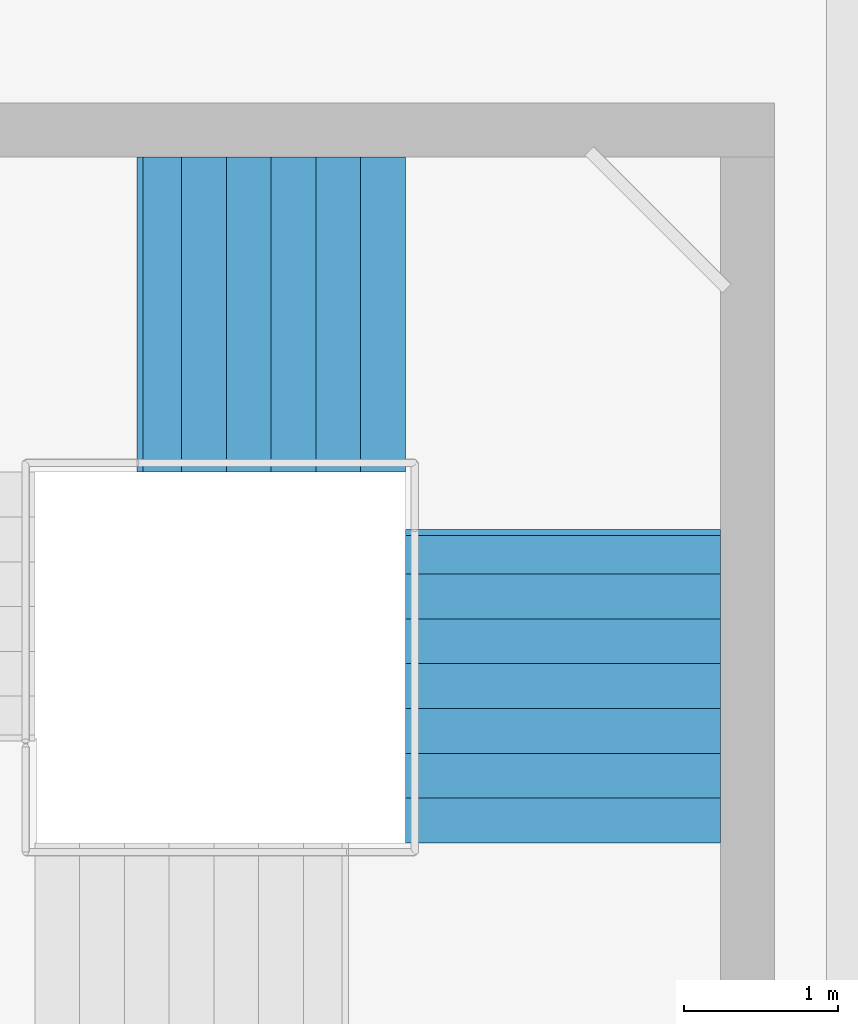
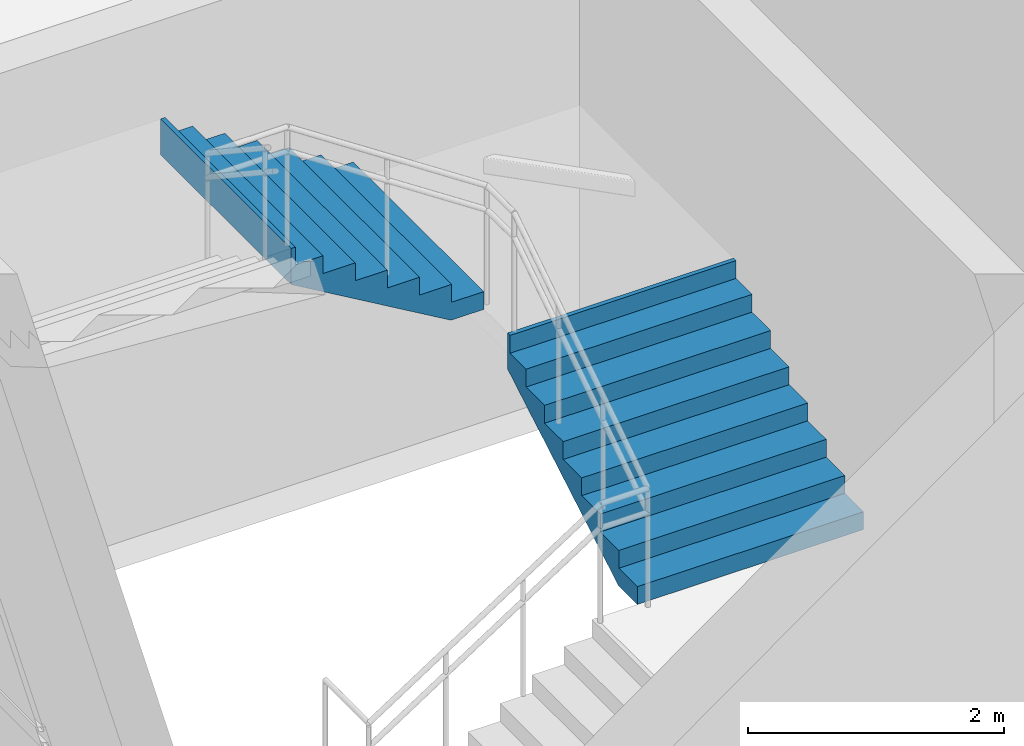
# One storey, part 54 of 58: 2 stair flights, 1 element without a shape of its own.
"""IFC4 building model written with IfcOpenShell, lengths in metres."""

from ifc_helpers import new_model, si_unit, direction, frame, origin, place, context, subcontext, project, spatial, triangles, material, type_object, element, aggregate, save


model = new_model("IFC4")

# Units and contexts
model_context = context("Model", 3, precision=1e-05, world=origin(), true_north=direction((0.0, 1.0)))
body_context = subcontext(model_context, "Body", "Model", "MODEL_VIEW")
ifc_project = project(units=[si_unit("LENGTHUNIT", "METRE"), si_unit("AREAUNIT", "SQUARE_METRE"), si_unit("VOLUMEUNIT", "CUBIC_METRE"), si_unit("PLANEANGLEUNIT", "RADIAN"), si_unit("MASSUNIT", "GRAM", prefix="KILO")], contexts=[model_context])

# Site, building, storey
site_placement = place(None, origin())
site = spatial("IfcSite", under=ifc_project, at=site_placement, CompositionType="ELEMENT")
building_placement = place(site_placement, origin())
building = spatial("IfcBuilding", under=site, at=building_placement, Name="Sillaruma Civic Art Gallery", CompositionType="ELEMENT")
storey_placement = place(building_placement, frame((0.0, 0.0, 52.02001953125)))
storey = spatial("IfcBuildingStorey", under=building, at=storey_placement, Name="L10", CompositionType="ELEMENT", Elevation=52.02001953125)

# Stair, stair flights
ifc_material = material(Name="Concrete H35 (35 MPa)", Category="concrete")
stair_type = type_object("IfcStairType", Name="STR-4F-30", PredefinedType="USERDEFINED", material=ifc_material)
stair_placement = place(storey_placement, origin())
stair = element("IfcStair", 1, at=stair_placement, inside=storey, type_object=stair_type, Name="Protected Exit Stair ST-04 (East Bar) (L10)", ObjectType="THREE_RETURN_STAIR", PredefinedType="USERDEFINED")
stair_flight_type_1 = type_object("IfcStairFlightType", Name="SFL-STR-7", PredefinedType="STRAIGHT", material=ifc_material)
stair_flight_1_placement = place(storey_placement, frame((103.300048828125, 56.669921875, 2.719970703125), z_axis=(0.0, 0.0, 1.0), x_axis=(-1.0, 0.0, 0.0)))
stair_flight_1 = element("IfcStairFlight", 2, at=stair_flight_1_placement, type_object=stair_flight_type_1, Name="ST-04 flight 3", NumberOfRisers=7, NumberOfTreads=6, PredefinedType="STRAIGHT", RiserHeight=0.17, TreadLength=0.29, context=body_context, shape_type="Tessellation", body=[
    triangles([(0.0, -1.02001953125, 0.0), (0.29, -1.02001953125, 0.0), (0.296404, -1.02001953125, 0.0), (0.58, -1.02001953125, 0.166246), (0.87, -1.02001953125, 0.336246), (1.16, -1.02001953125, 0.506246), (1.45, -1.02001953125, 0.676246), (1.69999, -1.02001953125, 0.822792), (1.73999, -1.02001953125, 0.84624), (1.73999, -1.02001953125, 1.19), (1.69999, -1.02001953125, 1.19), (1.69999, -1.02001953125, 1.02), (1.45, -1.02001953125, 1.02), (1.45, -1.02001953125, 0.85), (1.16, -1.02001953125, 0.85), (1.16, -1.02001953125, 0.68), (0.87, -1.02001953125, 0.68), (0.87, -1.02001953125, 0.51), (0.58, -1.02001953125, 0.51), (0.58, -1.02001953125, 0.34), (0.296404, -1.02001953125, 0.34), (0.29, -1.02001953125, 0.34), (0.29, -1.02001953125, 0.17), (0.0, -1.02001953125, 0.17), (0.0, -0.05, 0.0), (0.29, -0.05, 0.0), (0.296404, -0.05, 0.0), (0.58, -0.05, 0.166246), (0.87, -0.05, 0.336246), (1.16, -0.05, 0.506246), (1.45, -0.05, 0.676246), (1.69999, -0.05, 0.822792), (1.73999, -0.05, 0.84624), (1.73999, -0.05, 1.19), (1.69999, -0.05, 1.19), (1.69999, -0.05, 1.02), (1.45, -0.05, 1.02), (1.45, -0.05, 0.85), (1.16, -0.05, 0.85), (1.16, -0.05, 0.68), (0.87, -0.05, 0.68), (0.87, -0.05, 0.51), (0.58, -0.05, 0.51), (0.58, -0.05, 0.34), (0.296404, -0.05, 0.34), (0.29, -0.05, 0.34), (0.29, -0.05, 0.17), (0.0, -0.05, 0.17), (0.0, -0.0375, 0.0), (0.29, -0.0375, 0.0), (0.296404, -0.0375, 0.0), (0.58, -0.0375, 0.166246), (0.87, -0.0375, 0.336246), (1.16, -0.0375, 0.506246), (1.45, -0.0375, 0.676246), (1.69999, -0.0375, 0.822792), (1.73999, -0.0375, 0.84624), (1.73999, -0.0375, 1.19), (1.69999, -0.0375, 1.19), (1.69999, -0.0375, 1.02), (1.45, -0.0375, 1.02), (1.45, -0.0375, 0.85), (1.16, -0.0375, 0.85), (1.16, -0.0375, 0.68), (0.87, -0.0375, 0.68), (0.87, -0.0375, 0.51), (0.58, -0.0375, 0.51), (0.58, -0.0375, 0.34), (0.296404, -0.0375, 0.34), (0.29, -0.0375, 0.34), (0.29, -0.0375, 0.17), (0.0, -0.0375, 0.17), (0.0, -0.025, 0.0), (0.29, -0.025, 0.0), (0.296404, -0.025, 0.0), (0.58, -0.025, 0.166246), (0.87, -0.025, 0.336246), (1.16, -0.025, 0.506246), (1.45, -0.025, 0.676246), (1.69999, -0.025, 0.822792), (1.73999, -0.025, 0.84624), (1.73999, -0.025, 1.19), (1.69999, -0.025, 1.19), (1.69999, -0.025, 1.02), (1.45, -0.025, 1.02), (1.45, -0.025, 0.85), (1.16, -0.025, 0.85), (1.16, -0.025, 0.68), (0.87, -0.025, 0.68), (0.87, -0.025, 0.51), (0.58, -0.025, 0.51), (0.58, -0.025, 0.34), (0.296404, -0.025, 0.34), (0.29, -0.025, 0.34), (0.29, -0.025, 0.17), (0.0, -0.025, 0.17), (0.0, -0.0125, 0.0), (0.29, -0.0125, 0.0), (0.296404, -0.0125, 0.0), (0.58, -0.0125, 0.166246), (0.87, -0.0125, 0.336246), (1.16, -0.0125, 0.506246), (1.45, -0.0125, 0.676246), (1.69999, -0.0125, 0.822792), (1.73999, -0.0125, 0.84624), (1.73999, -0.0125, 1.19), (1.69999, -0.0125, 1.19), (1.69999, -0.0125, 1.02), (1.45, -0.0125, 1.02), (1.45, -0.0125, 0.85), (1.16, -0.0125, 0.85), (1.16, -0.0125, 0.68), (0.87, -0.0125, 0.68), (0.87, -0.0125, 0.51), (0.58, -0.0125, 0.51), (0.58, -0.0125, 0.34), (0.296404, -0.0125, 0.34), (0.29, -0.0125, 0.34), (0.29, -0.0125, 0.17), (0.0, -0.0125, 0.17), (0.0, 0.0, 0.0), (0.29, 0.0, 0.0), (0.296404, 0.0, 0.0), (0.58, 0.0, 0.166246), (0.87, 0.0, 0.336246), (1.16, 0.0, 0.506246), (1.45, 0.0, 0.676246), (1.69999, 0.0, 0.822792), (1.73999, 0.0, 0.84624), (1.73999, 0.0, 1.19), (1.69999, 0.0, 1.19), (1.69999, 0.0, 1.02), (1.45, 0.0, 1.02), (1.45, 0.0, 0.85), (1.16, 0.0, 0.85), (1.16, 0.0, 0.68), (0.87, 0.0, 0.68), (0.87, 0.0, 0.51), (0.58, 0.0, 0.51), (0.58, 0.0, 0.34), (0.296404, 0.0, 0.34), (0.29, 0.0, 0.34), (0.29, 0.0, 0.17), (0.0, 0.0, 0.17), (0.0, 0.0125, 0.0), (0.29, 0.0125, 0.0), (0.296404, 0.0125, 0.0), (0.58, 0.0125, 0.166246), (0.87, 0.0125, 0.336246), (1.16, 0.0125, 0.506246), (1.45, 0.0125, 0.676246), (1.69999, 0.0125, 0.822792), (1.73999, 0.0125, 0.84624), (1.73999, 0.0125, 1.19), (1.69999, 0.0125, 1.19), (1.69999, 0.0125, 1.02), (1.45, 0.0125, 1.02), (1.45, 0.0125, 0.85), (1.16, 0.0125, 0.85), (1.16, 0.0125, 0.68), (0.87, 0.0125, 0.68), (0.87, 0.0125, 0.51), (0.58, 0.0125, 0.51), (0.58, 0.0125, 0.34), (0.296404, 0.0125, 0.34), (0.29, 0.0125, 0.34), (0.29, 0.0125, 0.17), (0.0, 0.0125, 0.17), (0.0, 0.025, 0.0), (0.29, 0.025, 0.0), (0.296404, 0.025, 0.0), (0.58, 0.025, 0.166246), (0.87, 0.025, 0.336246), (1.16, 0.025, 0.506246), (1.45, 0.025, 0.676246), (1.69999, 0.025, 0.822792), (1.73999, 0.025, 0.84624), (1.73999, 0.025, 1.19), (1.69999, 0.025, 1.19), (1.69999, 0.025, 1.02), (1.45, 0.025, 1.02), (1.45, 0.025, 0.85), (1.16, 0.025, 0.85), (1.16, 0.025, 0.68), (0.87, 0.025, 0.68), (0.87, 0.025, 0.51), (0.58, 0.025, 0.51), (0.58, 0.025, 0.34), (0.296404, 0.025, 0.34), (0.29, 0.025, 0.34), (0.29, 0.025, 0.17), (0.0, 0.025, 0.17), (0.0, 0.0375, 0.0), (0.29, 0.0375, 0.0), (0.296404, 0.0375, 0.0), (0.58, 0.0375, 0.166246), (0.87, 0.0375, 0.336246), (1.16, 0.0375, 0.506246), (1.45, 0.0375, 0.676246), (1.69999, 0.0375, 0.822792), (1.73999, 0.0375, 0.84624), (1.73999, 0.0375, 1.19), (1.69999, 0.0375, 1.19), (1.69999, 0.0375, 1.02), (1.45, 0.0375, 1.02), (1.45, 0.0375, 0.85), (1.16, 0.0375, 0.85), (1.16, 0.0375, 0.68), (0.87, 0.0375, 0.68), (0.87, 0.0375, 0.51), (0.58, 0.0375, 0.51), (0.58, 0.0375, 0.34), (0.296404, 0.0375, 0.34), (0.29, 0.0375, 0.34), (0.29, 0.0375, 0.17), (0.0, 0.0375, 0.17), (0.0, 0.05, 0.0), (0.29, 0.05, 0.0), (0.296404, 0.05, 0.0), (0.58, 0.05, 0.166246), (0.87, 0.05, 0.336246), (1.16, 0.05, 0.506246), (1.45, 0.05, 0.676246), (1.69999, 0.05, 0.822792), (1.73999, 0.05, 0.84624), (1.73999, 0.05, 1.19), (1.69999, 0.05, 1.19), (1.69999, 0.05, 1.02), (1.45, 0.05, 1.02), (1.45, 0.05, 0.85), (1.16, 0.05, 0.85), (1.16, 0.05, 0.68), (0.87, 0.05, 0.68), (0.87, 0.05, 0.51), (0.58, 0.05, 0.51), (0.58, 0.05, 0.34), (0.296404, 0.05, 0.34), (0.29, 0.05, 0.34), (0.29, 0.05, 0.17), (0.0, 0.05, 0.17), (0.0, 1.02001953125, 0.0), (0.29, 1.02001953125, 0.0), (0.296404, 1.02001953125, 0.0), (0.58, 1.02001953125, 0.166246), (0.87, 1.02001953125, 0.336246), (1.16, 1.02001953125, 0.506246), (1.45, 1.02001953125, 0.676246), (1.69999, 1.02001953125, 0.822792), (1.73999, 1.02001953125, 0.84624), (1.73999, 1.02001953125, 1.19), (1.69999, 1.02001953125, 1.19), (1.69999, 1.02001953125, 1.02), (1.45, 1.02001953125, 1.02), (1.45, 1.02001953125, 0.85), (1.16, 1.02001953125, 0.85), (1.16, 1.02001953125, 0.68), (0.87, 1.02001953125, 0.68), (0.87, 1.02001953125, 0.51), (0.58, 1.02001953125, 0.51), (0.58, 1.02001953125, 0.34), (0.296404, 1.02001953125, 0.34), (0.29, 1.02001953125, 0.34), (0.29, 1.02001953125, 0.17), (0.0, 1.02001953125, 0.17)], [[1, 2, 23], [1, 23, 24], [2, 3, 21], [2, 21, 23], [23, 21, 22], [3, 4, 20], [3, 20, 21], [4, 5, 18], [4, 18, 20], [20, 18, 19], [5, 6, 16], [5, 16, 18], [18, 16, 17], [6, 7, 14], [6, 14, 16], [16, 14, 15], [7, 8, 12], [7, 12, 14], [14, 12, 13], [8, 9, 10], [8, 10, 12], [12, 10, 11], [263, 242, 241], [264, 263, 241], [261, 243, 242], [263, 261, 242], [262, 261, 263], [260, 244, 243], [261, 260, 243], [258, 245, 244], [260, 258, 244], [259, 258, 260], [256, 246, 245], [258, 256, 245], [257, 256, 258], [254, 247, 246], [256, 254, 246], [255, 254, 256], [252, 248, 247], [254, 252, 247], [253, 252, 254], [250, 249, 248], [252, 250, 248], [251, 250, 252], [2, 1, 25], [2, 25, 26], [3, 2, 26], [3, 26, 27], [4, 3, 27], [4, 27, 28], [5, 4, 28], [5, 28, 29], [6, 5, 29], [6, 29, 30], [7, 6, 30], [7, 30, 31], [8, 7, 31], [8, 31, 32], [9, 8, 32], [9, 32, 33], [10, 9, 33], [10, 33, 34], [11, 10, 34], [11, 34, 35], [12, 11, 35], [12, 35, 36], [13, 12, 36], [13, 36, 37], [14, 13, 37], [14, 37, 38], [15, 14, 38], [15, 38, 39], [16, 15, 39], [16, 39, 40], [17, 16, 40], [17, 40, 41], [18, 17, 41], [18, 41, 42], [19, 18, 42], [19, 42, 43], [20, 19, 43], [20, 43, 44], [21, 20, 44], [21, 44, 45], [22, 21, 45], [22, 45, 46], [23, 22, 46], [23, 46, 47], [24, 23, 47], [24, 47, 48], [1, 24, 48], [1, 48, 25], [26, 25, 49], [26, 49, 50], [27, 26, 50], [27, 50, 51], [28, 27, 51], [28, 51, 52], [29, 28, 52], [29, 52, 53], [30, 29, 53], [30, 53, 54], [31, 30, 54], [31, 54, 55], [32, 31, 55], [32, 55, 56], [33, 32, 56], [33, 56, 57], [34, 33, 57], [34, 57, 58], [35, 34, 58], [35, 58, 59], [36, 35, 59], [36, 59, 60], [37, 36, 60], [37, 60, 61], [38, 37, 61], [38, 61, 62], [39, 38, 62], [39, 62, 63], [40, 39, 63], [40, 63, 64], [41, 40, 64], [41, 64, 65], [42, 41, 65], [42, 65, 66], [43, 42, 66], [43, 66, 67], [44, 43, 67], [44, 67, 68], [45, 44, 68], [45, 68, 69], [46, 45, 69], [46, 69, 70], [47, 46, 70], [47, 70, 71], [48, 47, 71], [48, 71, 72], [25, 48, 72], [25, 72, 49], [50, 49, 73], [50, 73, 74], [51, 50, 74], [51, 74, 75], [52, 51, 75], [52, 75, 76], [53, 52, 76], [53, 76, 77], [54, 53, 77], [54, 77, 78], [55, 54, 78], [55, 78, 79], [56, 55, 79], [56, 79, 80], [57, 56, 80], [57, 80, 81], [58, 57, 81], [58, 81, 82], [59, 58, 82], [59, 82, 83], [60, 59, 83], [60, 83, 84], [61, 60, 84], [61, 84, 85], [62, 61, 85], [62, 85, 86], [63, 62, 86], [63, 86, 87], [64, 63, 87], [64, 87, 88], [65, 64, 88], [65, 88, 89], [66, 65, 89], [66, 89, 90], [67, 66, 90], [67, 90, 91], [68, 67, 91], [68, 91, 92], [69, 68, 92], [69, 92, 93], [70, 69, 93], [70, 93, 94], [71, 70, 94], [71, 94, 95], [72, 71, 95], [72, 95, 96], [49, 72, 96], [49, 96, 73], [74, 73, 97], [74, 97, 98], [75, 74, 98], [75, 98, 99], [76, 75, 99], [76, 99, 100], [77, 76, 100], [77, 100, 101], [78, 77, 101], [78, 101, 102], [79, 78, 102], [79, 102, 103], [80, 79, 103], [80, 103, 104], [81, 80, 104], [81, 104, 105], [82, 81, 105], [82, 105, 106], [83, 82, 106], [83, 106, 107], [84, 83, 107], [84, 107, 108], [85, 84, 108], [85, 108, 109], [86, 85, 109], [86, 109, 110], [87, 86, 110], [87, 110, 111], [88, 87, 111], [88, 111, 112], [89, 88, 112], [89, 112, 113], [90, 89, 113], [90, 113, 114], [91, 90, 114], [91, 114, 115], [92, 91, 115], [92, 115, 116], [93, 92, 116], [93, 116, 117], [94, 93, 117], [94, 117, 118], [95, 94, 118], [95, 118, 119], [96, 95, 119], [96, 119, 120], [73, 96, 120], [73, 120, 97], [98, 97, 121], [98, 121, 122], [99, 98, 122], [99, 122, 123], [100, 99, 123], [100, 123, 124], [101, 100, 124], [101, 124, 125], [102, 101, 125], [102, 125, 126], [103, 102, 126], [103, 126, 127], [104, 103, 127], [104, 127, 128], [105, 104, 128], [105, 128, 129], [106, 105, 129], [106, 129, 130], [107, 106, 130], [107, 130, 131], [108, 107, 131], [108, 131, 132], [109, 108, 132], [109, 132, 133], [110, 109, 133], [110, 133, 134], [111, 110, 134], [111, 134, 135], [112, 111, 135], [112, 135, 136], [113, 112, 136], [113, 136, 137], [114, 113, 137], [114, 137, 138], [115, 114, 138], [115, 138, 139], [116, 115, 139], [116, 139, 140], [117, 116, 140], [117, 140, 141], [118, 117, 141], [118, 141, 142], [119, 118, 142], [119, 142, 143], [120, 119, 143], [120, 143, 144], [97, 120, 144], [97, 144, 121], [122, 121, 145], [122, 145, 146], [123, 122, 146], [123, 146, 147], [124, 123, 147], [124, 147, 148], [125, 124, 148], [125, 148, 149], [126, 125, 149], [126, 149, 150], [127, 126, 150], [127, 150, 151], [128, 127, 151], [128, 151, 152], [129, 128, 152], [129, 152, 153], [130, 129, 153], [130, 153, 154], [131, 130, 154], [131, 154, 155], [132, 131, 155], [132, 155, 156], [133, 132, 156], [133, 156, 157], [134, 133, 157], [134, 157, 158], [135, 134, 158], [135, 158, 159], [136, 135, 159], [136, 159, 160], [137, 136, 160], [137, 160, 161], [138, 137, 161], [138, 161, 162], [139, 138, 162], [139, 162, 163], [140, 139, 163], [140, 163, 164], [141, 140, 164], [141, 164, 165], [142, 141, 165], [142, 165, 166], [143, 142, 166], [143, 166, 167], [144, 143, 167], [144, 167, 168], [121, 144, 168], [121, 168, 145], [146, 145, 169], [146, 169, 170], [147, 146, 170], [147, 170, 171], [148, 147, 171], [148, 171, 172], [149, 148, 172], [149, 172, 173], [150, 149, 173], [150, 173, 174], [151, 150, 174], [151, 174, 175], [152, 151, 175], [152, 175, 176], [153, 152, 176], [153, 176, 177], [154, 153, 177], [154, 177, 178], [155, 154, 178], [155, 178, 179], [156, 155, 179], [156, 179, 180], [157, 156, 180], [157, 180, 181], [158, 157, 181], [158, 181, 182], [159, 158, 182], [159, 182, 183], [160, 159, 183], [160, 183, 184], [161, 160, 184], [161, 184, 185], [162, 161, 185], [162, 185, 186], [163, 162, 186], [163, 186, 187], [164, 163, 187], [164, 187, 188], [165, 164, 188], [165, 188, 189], [166, 165, 189], [166, 189, 190], [167, 166, 190], [167, 190, 191], [168, 167, 191], [168, 191, 192], [145, 168, 192], [145, 192, 169], [170, 169, 193], [170, 193, 194], [171, 170, 194], [171, 194, 195], [172, 171, 195], [172, 195, 196], [173, 172, 196], [173, 196, 197], [174, 173, 197], [174, 197, 198], [175, 174, 198], [175, 198, 199], [176, 175, 199], [176, 199, 200], [177, 176, 200], [177, 200, 201], [178, 177, 201], [178, 201, 202], [179, 178, 202], [179, 202, 203], [180, 179, 203], [180, 203, 204], [181, 180, 204], [181, 204, 205], [182, 181, 205], [182, 205, 206], [183, 182, 206], [183, 206, 207], [184, 183, 207], [184, 207, 208], [185, 184, 208], [185, 208, 209], [186, 185, 209], [186, 209, 210], [187, 186, 210], [187, 210, 211], [188, 187, 211], [188, 211, 212], [189, 188, 212], [189, 212, 213], [190, 189, 213], [190, 213, 214], [191, 190, 214], [191, 214, 215], [192, 191, 215], [192, 215, 216], [169, 192, 216], [169, 216, 193], [194, 193, 217], [194, 217, 218], [195, 194, 218], [195, 218, 219], [196, 195, 219], [196, 219, 220], [197, 196, 220], [197, 220, 221], [198, 197, 221], [198, 221, 222], [199, 198, 222], [199, 222, 223], [200, 199, 223], [200, 223, 224], [201, 200, 224], [201, 224, 225], [202, 201, 225], [202, 225, 226], [203, 202, 226], [203, 226, 227], [204, 203, 227], [204, 227, 228], [205, 204, 228], [205, 228, 229], [206, 205, 229], [206, 229, 230], [207, 206, 230], [207, 230, 231], [208, 207, 231], [208, 231, 232], [209, 208, 232], [209, 232, 233], [210, 209, 233], [210, 233, 234], [211, 210, 234], [211, 234, 235], [212, 211, 235], [212, 235, 236], [213, 212, 236], [213, 236, 237], [214, 213, 237], [214, 237, 238], [215, 214, 238], [215, 238, 239], [216, 215, 239], [216, 239, 240], [193, 216, 240], [193, 240, 217], [218, 217, 241], [218, 241, 242], [219, 218, 242], [219, 242, 243], [220, 219, 243], [220, 243, 244], [221, 220, 244], [221, 244, 245], [222, 221, 245], [222, 245, 246], [223, 222, 246], [223, 246, 247], [224, 223, 247], [224, 247, 248], [225, 224, 248], [225, 248, 249], [226, 225, 249], [226, 249, 250], [227, 226, 250], [227, 250, 251], [228, 227, 251], [228, 251, 252], [229, 228, 252], [229, 252, 253], [230, 229, 253], [230, 253, 254], [231, 230, 254], [231, 254, 255], [232, 231, 255], [232, 255, 256], [233, 232, 256], [233, 256, 257], [234, 233, 257], [234, 257, 258], [235, 234, 258], [235, 258, 259], [236, 235, 259], [236, 259, 260], [237, 236, 260], [237, 260, 261], [238, 237, 261], [238, 261, 262], [239, 238, 262], [239, 262, 263], [240, 239, 263], [240, 263, 264], [217, 240, 264], [217, 264, 241]], closed=True),
])
stair_flight_type_2 = type_object("IfcStairFlightType", Name="SFL-STR-8", PredefinedType="STRAIGHT", material=ifc_material)
stair_flight_2_placement = place(storey_placement, frame((104.320068359375, 53.25, 1.35986328125), z_axis=(0.0, 0.0, 1.0), x_axis=(0.0, 1.0, 0.0)))
stair_flight_2 = element("IfcStairFlight", 3, at=stair_flight_2_placement, type_object=stair_flight_type_2, Name="ST-04 flight 2", NumberOfRisers=8, NumberOfTreads=7, PredefinedType="STRAIGHT", RiserHeight=0.17, TreadLength=0.29, context=body_context, shape_type="Tessellation", body=[
    triangles([(0.0, -1.02001953125, 0.0), (0.29, -1.02001953125, 0.0), (0.296443, -1.02001953125, 0.0), (0.58, -1.02001953125, 0.166223), (0.87, -1.02001953125, 0.336223), (1.16, -1.02001953125, 0.506223), (1.45, -1.02001953125, 0.676223), (1.74, -1.02001953125, 0.846223), (1.990029, -1.02001953125, 0.992792), (2.030029, -1.02001953125, 1.01624), (2.030029, -1.02001953125, 1.36), (1.990029, -1.02001953125, 1.36), (1.990029, -1.02001953125, 1.19), (1.74, -1.02001953125, 1.19), (1.74, -1.02001953125, 1.02), (1.45, -1.02001953125, 1.02), (1.45, -1.02001953125, 0.85), (1.16, -1.02001953125, 0.85), (1.16, -1.02001953125, 0.68), (0.87, -1.02001953125, 0.68), (0.87, -1.02001953125, 0.51), (0.58, -1.02001953125, 0.51), (0.58, -1.02001953125, 0.34), (0.296443, -1.02001953125, 0.34), (0.29, -1.02001953125, 0.34), (0.29, -1.02001953125, 0.17), (0.0, -1.02001953125, 0.17), (0.0, -0.05, 0.0), (0.29, -0.05, 0.0), (0.296443, -0.05, 0.0), (0.58, -0.05, 0.166223), (0.87, -0.05, 0.336223), (1.16, -0.05, 0.506223), (1.45, -0.05, 0.676223), (1.74, -0.05, 0.846223), (1.990029, -0.05, 0.992792), (2.030029, -0.05, 1.01624), (2.030029, -0.05, 1.36), (1.990029, -0.05, 1.36), (1.990029, -0.05, 1.19), (1.74, -0.05, 1.19), (1.74, -0.05, 1.02), (1.45, -0.05, 1.02), (1.45, -0.05, 0.85), (1.16, -0.05, 0.85), (1.16, -0.05, 0.68), (0.87, -0.05, 0.68), (0.87, -0.05, 0.51), (0.58, -0.05, 0.51), (0.58, -0.05, 0.34), (0.296443, -0.05, 0.34), (0.29, -0.05, 0.34), (0.29, -0.05, 0.17), (0.0, -0.05, 0.17), (0.0, -0.0375, 0.0), (0.29, -0.0375, 0.0), (0.296443, -0.0375, 0.0), (0.58, -0.0375, 0.166223), (0.87, -0.0375, 0.336223), (1.16, -0.0375, 0.506223), (1.45, -0.0375, 0.676223), (1.74, -0.0375, 0.846223), (1.990029, -0.0375, 0.992792), (2.030029, -0.0375, 1.01624), (2.030029, -0.0375, 1.36), (1.990029, -0.0375, 1.36), (1.990029, -0.0375, 1.19), (1.74, -0.0375, 1.19), (1.74, -0.0375, 1.02), (1.45, -0.0375, 1.02), (1.45, -0.0375, 0.85), (1.16, -0.0375, 0.85), (1.16, -0.0375, 0.68), (0.87, -0.0375, 0.68), (0.87, -0.0375, 0.51), (0.58, -0.0375, 0.51), (0.58, -0.0375, 0.34), (0.296443, -0.0375, 0.34), (0.29, -0.0375, 0.34), (0.29, -0.0375, 0.17), (0.0, -0.0375, 0.17), (0.0, -0.025, 0.0), (0.29, -0.025, 0.0), (0.296443, -0.025, 0.0), (0.58, -0.025, 0.166223), (0.87, -0.025, 0.336223), (1.16, -0.025, 0.506223), (1.45, -0.025, 0.676223), (1.74, -0.025, 0.846223), (1.990029, -0.025, 0.992792), (2.030029, -0.025, 1.01624), (2.030029, -0.025, 1.36), (1.990029, -0.025, 1.36), (1.990029, -0.025, 1.19), (1.74, -0.025, 1.19), (1.74, -0.025, 1.02), (1.45, -0.025, 1.02), (1.45, -0.025, 0.85), (1.16, -0.025, 0.85), (1.16, -0.025, 0.68), (0.87, -0.025, 0.68), (0.87, -0.025, 0.51), (0.58, -0.025, 0.51), (0.58, -0.025, 0.34), (0.296443, -0.025, 0.34), (0.29, -0.025, 0.34), (0.29, -0.025, 0.17), (0.0, -0.025, 0.17), (0.0, -0.0125, 0.0), (0.29, -0.0125, 0.0), (0.296443, -0.0125, 0.0), (0.58, -0.0125, 0.166223), (0.87, -0.0125, 0.336223), (1.16, -0.0125, 0.506223), (1.45, -0.0125, 0.676223), (1.74, -0.0125, 0.846223), (1.990029, -0.0125, 0.992792), (2.030029, -0.0125, 1.01624), (2.030029, -0.0125, 1.36), (1.990029, -0.0125, 1.36), (1.990029, -0.0125, 1.19), (1.74, -0.0125, 1.19), (1.74, -0.0125, 1.02), (1.45, -0.0125, 1.02), (1.45, -0.0125, 0.85), (1.16, -0.0125, 0.85), (1.16, -0.0125, 0.68), (0.87, -0.0125, 0.68), (0.87, -0.0125, 0.51), (0.58, -0.0125, 0.51), (0.58, -0.0125, 0.34), (0.296443, -0.0125, 0.34), (0.29, -0.0125, 0.34), (0.29, -0.0125, 0.17), (0.0, -0.0125, 0.17), (0.0, 0.0, 0.0), (0.29, 0.0, 0.0), (0.296443, 0.0, 0.0), (0.58, 0.0, 0.166223), (0.87, 0.0, 0.336223), (1.16, 0.0, 0.506223), (1.45, 0.0, 0.676223), (1.74, 0.0, 0.846223), (1.990029, 0.0, 0.992792), (2.030029, 0.0, 1.01624), (2.030029, 0.0, 1.36), (1.990029, 0.0, 1.36), (1.990029, 0.0, 1.19), (1.74, 0.0, 1.19), (1.74, 0.0, 1.02), (1.45, 0.0, 1.02), (1.45, 0.0, 0.85), (1.16, 0.0, 0.85), (1.16, 0.0, 0.68), (0.87, 0.0, 0.68), (0.87, 0.0, 0.51), (0.58, 0.0, 0.51), (0.58, 0.0, 0.34), (0.296443, 0.0, 0.34), (0.29, 0.0, 0.34), (0.29, 0.0, 0.17), (0.0, 0.0, 0.17), (0.0, 0.0125, 0.0), (0.29, 0.0125, 0.0), (0.296443, 0.0125, 0.0), (0.58, 0.0125, 0.166223), (0.87, 0.0125, 0.336223), (1.16, 0.0125, 0.506223), (1.45, 0.0125, 0.676223), (1.74, 0.0125, 0.846223), (1.990029, 0.0125, 0.992792), (2.030029, 0.0125, 1.01624), (2.030029, 0.0125, 1.36), (1.990029, 0.0125, 1.36), (1.990029, 0.0125, 1.19), (1.74, 0.0125, 1.19), (1.74, 0.0125, 1.02), (1.45, 0.0125, 1.02), (1.45, 0.0125, 0.85), (1.16, 0.0125, 0.85), (1.16, 0.0125, 0.68), (0.87, 0.0125, 0.68), (0.87, 0.0125, 0.51), (0.58, 0.0125, 0.51), (0.58, 0.0125, 0.34), (0.296443, 0.0125, 0.34), (0.29, 0.0125, 0.34), (0.29, 0.0125, 0.17), (0.0, 0.0125, 0.17), (0.0, 0.025, 0.0), (0.29, 0.025, 0.0), (0.296443, 0.025, 0.0), (0.58, 0.025, 0.166223), (0.87, 0.025, 0.336223), (1.16, 0.025, 0.506223), (1.45, 0.025, 0.676223), (1.74, 0.025, 0.846223), (1.990029, 0.025, 0.992792), (2.030029, 0.025, 1.01624), (2.030029, 0.025, 1.36), (1.990029, 0.025, 1.36), (1.990029, 0.025, 1.19), (1.74, 0.025, 1.19), (1.74, 0.025, 1.02), (1.45, 0.025, 1.02), (1.45, 0.025, 0.85), (1.16, 0.025, 0.85), (1.16, 0.025, 0.68), (0.87, 0.025, 0.68), (0.87, 0.025, 0.51), (0.58, 0.025, 0.51), (0.58, 0.025, 0.34), (0.296443, 0.025, 0.34), (0.29, 0.025, 0.34), (0.29, 0.025, 0.17), (0.0, 0.025, 0.17), (0.0, 0.0375, 0.0), (0.29, 0.0375, 0.0), (0.296443, 0.0375, 0.0), (0.58, 0.0375, 0.166223), (0.87, 0.0375, 0.336223), (1.16, 0.0375, 0.506223), (1.45, 0.0375, 0.676223), (1.74, 0.0375, 0.846223), (1.990029, 0.0375, 0.992792), (2.030029, 0.0375, 1.01624), (2.030029, 0.0375, 1.36), (1.990029, 0.0375, 1.36), (1.990029, 0.0375, 1.19), (1.74, 0.0375, 1.19), (1.74, 0.0375, 1.02), (1.45, 0.0375, 1.02), (1.45, 0.0375, 0.85), (1.16, 0.0375, 0.85), (1.16, 0.0375, 0.68), (0.87, 0.0375, 0.68), (0.87, 0.0375, 0.51), (0.58, 0.0375, 0.51), (0.58, 0.0375, 0.34), (0.296443, 0.0375, 0.34), (0.29, 0.0375, 0.34), (0.29, 0.0375, 0.17), (0.0, 0.0375, 0.17), (0.0, 0.05, 0.0), (0.29, 0.05, 0.0), (0.296443, 0.05, 0.0), (0.58, 0.05, 0.166223), (0.87, 0.05, 0.336223), (1.16, 0.05, 0.506223), (1.45, 0.05, 0.676223), (1.74, 0.05, 0.846223), (1.990029, 0.05, 0.992792), (2.030029, 0.05, 1.01624), (2.030029, 0.05, 1.36), (1.990029, 0.05, 1.36), (1.990029, 0.05, 1.19), (1.74, 0.05, 1.19), (1.74, 0.05, 1.02), (1.45, 0.05, 1.02), (1.45, 0.05, 0.85), (1.16, 0.05, 0.85), (1.16, 0.05, 0.68), (0.87, 0.05, 0.68), (0.87, 0.05, 0.51), (0.58, 0.05, 0.51), (0.58, 0.05, 0.34), (0.296443, 0.05, 0.34), (0.29, 0.05, 0.34), (0.29, 0.05, 0.17), (0.0, 0.05, 0.17), (0.0, 1.02001953125, 0.0), (0.29, 1.02001953125, 0.0), (0.296443, 1.02001953125, 0.0), (0.58, 1.02001953125, 0.166223), (0.87, 1.02001953125, 0.336223), (1.16, 1.02001953125, 0.506223), (1.45, 1.02001953125, 0.676223), (1.74, 1.02001953125, 0.846223), (1.990029, 1.02001953125, 0.992792), (2.030029, 1.02001953125, 1.01624), (2.030029, 1.02001953125, 1.36), (1.990029, 1.02001953125, 1.36), (1.990029, 1.02001953125, 1.19), (1.74, 1.02001953125, 1.19), (1.74, 1.02001953125, 1.02), (1.45, 1.02001953125, 1.02), (1.45, 1.02001953125, 0.85), (1.16, 1.02001953125, 0.85), (1.16, 1.02001953125, 0.68), (0.87, 1.02001953125, 0.68), (0.87, 1.02001953125, 0.51), (0.58, 1.02001953125, 0.51), (0.58, 1.02001953125, 0.34), (0.296443, 1.02001953125, 0.34), (0.29, 1.02001953125, 0.34), (0.29, 1.02001953125, 0.17), (0.0, 1.02001953125, 0.17)], [[1, 2, 26], [1, 26, 27], [2, 3, 24], [2, 24, 26], [26, 24, 25], [3, 4, 23], [3, 23, 24], [4, 5, 21], [4, 21, 23], [23, 21, 22], [5, 6, 19], [5, 19, 21], [21, 19, 20], [6, 7, 17], [6, 17, 19], [19, 17, 18], [7, 8, 15], [7, 15, 17], [17, 15, 16], [8, 9, 13], [8, 13, 15], [15, 13, 14], [9, 10, 11], [9, 11, 13], [13, 11, 12], [296, 272, 271], [297, 296, 271], [294, 273, 272], [296, 294, 272], [295, 294, 296], [293, 274, 273], [294, 293, 273], [291, 275, 274], [293, 291, 274], [292, 291, 293], [289, 276, 275], [291, 289, 275], [290, 289, 291], [287, 277, 276], [289, 287, 276], [288, 287, 289], [285, 278, 277], [287, 285, 277], [286, 285, 287], [283, 279, 278], [285, 283, 278], [284, 283, 285], [281, 280, 279], [283, 281, 279], [282, 281, 283], [2, 1, 28], [2, 28, 29], [3, 2, 29], [3, 29, 30], [4, 3, 30], [4, 30, 31], [5, 4, 31], [5, 31, 32], [6, 5, 32], [6, 32, 33], [7, 6, 33], [7, 33, 34], [8, 7, 34], [8, 34, 35], [9, 8, 35], [9, 35, 36], [10, 9, 36], [10, 36, 37], [11, 10, 37], [11, 37, 38], [12, 11, 38], [12, 38, 39], [13, 12, 39], [13, 39, 40], [14, 13, 40], [14, 40, 41], [15, 14, 41], [15, 41, 42], [16, 15, 42], [16, 42, 43], [17, 16, 43], [17, 43, 44], [18, 17, 44], [18, 44, 45], [19, 18, 45], [19, 45, 46], [20, 19, 46], [20, 46, 47], [21, 20, 47], [21, 47, 48], [22, 21, 48], [22, 48, 49], [23, 22, 49], [23, 49, 50], [24, 23, 50], [24, 50, 51], [25, 24, 51], [25, 51, 52], [26, 25, 52], [26, 52, 53], [27, 26, 53], [27, 53, 54], [1, 27, 54], [1, 54, 28], [29, 28, 55], [29, 55, 56], [30, 29, 56], [30, 56, 57], [31, 30, 57], [31, 57, 58], [32, 31, 58], [32, 58, 59], [33, 32, 59], [33, 59, 60], [34, 33, 60], [34, 60, 61], [35, 34, 61], [35, 61, 62], [36, 35, 62], [36, 62, 63], [37, 36, 63], [37, 63, 64], [38, 37, 64], [38, 64, 65], [39, 38, 65], [39, 65, 66], [40, 39, 66], [40, 66, 67], [41, 40, 67], [41, 67, 68], [42, 41, 68], [42, 68, 69], [43, 42, 69], [43, 69, 70], [44, 43, 70], [44, 70, 71], [45, 44, 71], [45, 71, 72], [46, 45, 72], [46, 72, 73], [47, 46, 73], [47, 73, 74], [48, 47, 74], [48, 74, 75], [49, 48, 75], [49, 75, 76], [50, 49, 76], [50, 76, 77], [51, 50, 77], [51, 77, 78], [52, 51, 78], [52, 78, 79], [53, 52, 79], [53, 79, 80], [54, 53, 80], [54, 80, 81], [28, 54, 81], [28, 81, 55], [56, 55, 82], [56, 82, 83], [57, 56, 83], [57, 83, 84], [58, 57, 84], [58, 84, 85], [59, 58, 85], [59, 85, 86], [60, 59, 86], [60, 86, 87], [61, 60, 87], [61, 87, 88], [62, 61, 88], [62, 88, 89], [63, 62, 89], [63, 89, 90], [64, 63, 90], [64, 90, 91], [65, 64, 91], [65, 91, 92], [66, 65, 92], [66, 92, 93], [67, 66, 93], [67, 93, 94], [68, 67, 94], [68, 94, 95], [69, 68, 95], [69, 95, 96], [70, 69, 96], [70, 96, 97], [71, 70, 97], [71, 97, 98], [72, 71, 98], [72, 98, 99], [73, 72, 99], [73, 99, 100], [74, 73, 100], [74, 100, 101], [75, 74, 101], [75, 101, 102], [76, 75, 102], [76, 102, 103], [77, 76, 103], [77, 103, 104], [78, 77, 104], [78, 104, 105], [79, 78, 105], [79, 105, 106], [80, 79, 106], [80, 106, 107], [81, 80, 107], [81, 107, 108], [55, 81, 108], [55, 108, 82], [83, 82, 109], [83, 109, 110], [84, 83, 110], [84, 110, 111], [85, 84, 111], [85, 111, 112], [86, 85, 112], [86, 112, 113], [87, 86, 113], [87, 113, 114], [88, 87, 114], [88, 114, 115], [89, 88, 115], [89, 115, 116], [90, 89, 116], [90, 116, 117], [91, 90, 117], [91, 117, 118], [92, 91, 118], [92, 118, 119], [93, 92, 119], [93, 119, 120], [94, 93, 120], [94, 120, 121], [95, 94, 121], [95, 121, 122], [96, 95, 122], [96, 122, 123], [97, 96, 123], [97, 123, 124], [98, 97, 124], [98, 124, 125], [99, 98, 125], [99, 125, 126], [100, 99, 126], [100, 126, 127], [101, 100, 127], [101, 127, 128], [102, 101, 128], [102, 128, 129], [103, 102, 129], [103, 129, 130], [104, 103, 130], [104, 130, 131], [105, 104, 131], [105, 131, 132], [106, 105, 132], [106, 132, 133], [107, 106, 133], [107, 133, 134], [108, 107, 134], [108, 134, 135], [82, 108, 135], [82, 135, 109], [110, 109, 136], [110, 136, 137], [111, 110, 137], [111, 137, 138], [112, 111, 138], [112, 138, 139], [113, 112, 139], [113, 139, 140], [114, 113, 140], [114, 140, 141], [115, 114, 141], [115, 141, 142], [116, 115, 142], [116, 142, 143], [117, 116, 143], [117, 143, 144], [118, 117, 144], [118, 144, 145], [119, 118, 145], [119, 145, 146], [120, 119, 146], [120, 146, 147], [121, 120, 147], [121, 147, 148], [122, 121, 148], [122, 148, 149], [123, 122, 149], [123, 149, 150], [124, 123, 150], [124, 150, 151], [125, 124, 151], [125, 151, 152], [126, 125, 152], [126, 152, 153], [127, 126, 153], [127, 153, 154], [128, 127, 154], [128, 154, 155], [129, 128, 155], [129, 155, 156], [130, 129, 156], [130, 156, 157], [131, 130, 157], [131, 157, 158], [132, 131, 158], [132, 158, 159], [133, 132, 159], [133, 159, 160], [134, 133, 160], [134, 160, 161], [135, 134, 161], [135, 161, 162], [109, 135, 162], [109, 162, 136], [137, 136, 163], [137, 163, 164], [138, 137, 164], [138, 164, 165], [139, 138, 165], [139, 165, 166], [140, 139, 166], [140, 166, 167], [141, 140, 167], [141, 167, 168], [142, 141, 168], [142, 168, 169], [143, 142, 169], [143, 169, 170], [144, 143, 170], [144, 170, 171], [145, 144, 171], [145, 171, 172], [146, 145, 172], [146, 172, 173], [147, 146, 173], [147, 173, 174], [148, 147, 174], [148, 174, 175], [149, 148, 175], [149, 175, 176], [150, 149, 176], [150, 176, 177], [151, 150, 177], [151, 177, 178], [152, 151, 178], [152, 178, 179], [153, 152, 179], [153, 179, 180], [154, 153, 180], [154, 180, 181], [155, 154, 181], [155, 181, 182], [156, 155, 182], [156, 182, 183], [157, 156, 183], [157, 183, 184], [158, 157, 184], [158, 184, 185], [159, 158, 185], [159, 185, 186], [160, 159, 186], [160, 186, 187], [161, 160, 187], [161, 187, 188], [162, 161, 188], [162, 188, 189], [136, 162, 189], [136, 189, 163], [164, 163, 190], [164, 190, 191], [165, 164, 191], [165, 191, 192], [166, 165, 192], [166, 192, 193], [167, 166, 193], [167, 193, 194], [168, 167, 194], [168, 194, 195], [169, 168, 195], [169, 195, 196], [170, 169, 196], [170, 196, 197], [171, 170, 197], [171, 197, 198], [172, 171, 198], [172, 198, 199], [173, 172, 199], [173, 199, 200], [174, 173, 200], [174, 200, 201], [175, 174, 201], [175, 201, 202], [176, 175, 202], [176, 202, 203], [177, 176, 203], [177, 203, 204], [178, 177, 204], [178, 204, 205], [179, 178, 205], [179, 205, 206], [180, 179, 206], [180, 206, 207], [181, 180, 207], [181, 207, 208], [182, 181, 208], [182, 208, 209], [183, 182, 209], [183, 209, 210], [184, 183, 210], [184, 210, 211], [185, 184, 211], [185, 211, 212], [186, 185, 212], [186, 212, 213], [187, 186, 213], [187, 213, 214], [188, 187, 214], [188, 214, 215], [189, 188, 215], [189, 215, 216], [163, 189, 216], [163, 216, 190], [191, 190, 217], [191, 217, 218], [192, 191, 218], [192, 218, 219], [193, 192, 219], [193, 219, 220], [194, 193, 220], [194, 220, 221], [195, 194, 221], [195, 221, 222], [196, 195, 222], [196, 222, 223], [197, 196, 223], [197, 223, 224], [198, 197, 224], [198, 224, 225], [199, 198, 225], [199, 225, 226], [200, 199, 226], [200, 226, 227], [201, 200, 227], [201, 227, 228], [202, 201, 228], [202, 228, 229], [203, 202, 229], [203, 229, 230], [204, 203, 230], [204, 230, 231], [205, 204, 231], [205, 231, 232], [206, 205, 232], [206, 232, 233], [207, 206, 233], [207, 233, 234], [208, 207, 234], [208, 234, 235], [209, 208, 235], [209, 235, 236], [210, 209, 236], [210, 236, 237], [211, 210, 237], [211, 237, 238], [212, 211, 238], [212, 238, 239], [213, 212, 239], [213, 239, 240], [214, 213, 240], [214, 240, 241], [215, 214, 241], [215, 241, 242], [216, 215, 242], [216, 242, 243], [190, 216, 243], [190, 243, 217], [218, 217, 244], [218, 244, 245], [219, 218, 245], [219, 245, 246], [220, 219, 246], [220, 246, 247], [221, 220, 247], [221, 247, 248], [222, 221, 248], [222, 248, 249], [223, 222, 249], [223, 249, 250], [224, 223, 250], [224, 250, 251], [225, 224, 251], [225, 251, 252], [226, 225, 252], [226, 252, 253], [227, 226, 253], [227, 253, 254], [228, 227, 254], [228, 254, 255], [229, 228, 255], [229, 255, 256], [230, 229, 256], [230, 256, 257], [231, 230, 257], [231, 257, 258], [232, 231, 258], [232, 258, 259], [233, 232, 259], [233, 259, 260], [234, 233, 260], [234, 260, 261], [235, 234, 261], [235, 261, 262], [236, 235, 262], [236, 262, 263], [237, 236, 263], [237, 263, 264], [238, 237, 264], [238, 264, 265], [239, 238, 265], [239, 265, 266], [240, 239, 266], [240, 266, 267], [241, 240, 267], [241, 267, 268], [242, 241, 268], [242, 268, 269], [243, 242, 269], [243, 269, 270], [217, 243, 270], [217, 270, 244], [245, 244, 271], [245, 271, 272], [246, 245, 272], [246, 272, 273], [247, 246, 273], [247, 273, 274], [248, 247, 274], [248, 274, 275], [249, 248, 275], [249, 275, 276], [250, 249, 276], [250, 276, 277], [251, 250, 277], [251, 277, 278], [252, 251, 278], [252, 278, 279], [253, 252, 279], [253, 279, 280], [254, 253, 280], [254, 280, 281], [255, 254, 281], [255, 281, 282], [256, 255, 282], [256, 282, 283], [257, 256, 283], [257, 283, 284], [258, 257, 284], [258, 284, 285], [259, 258, 285], [259, 285, 286], [260, 259, 286], [260, 286, 287], [261, 260, 287], [261, 287, 288], [262, 261, 288], [262, 288, 289], [263, 262, 289], [263, 289, 290], [264, 263, 290], [264, 290, 291], [265, 264, 291], [265, 291, 292], [266, 265, 292], [266, 292, 293], [267, 266, 293], [267, 293, 294], [268, 267, 294], [268, 294, 295], [269, 268, 295], [269, 295, 296], [270, 269, 296], [270, 296, 297], [244, 270, 297], [244, 297, 271]], closed=True),
])
aggregate(stair, [stair_flight_2, stair_flight_1])

save(model, "model.ifc")
